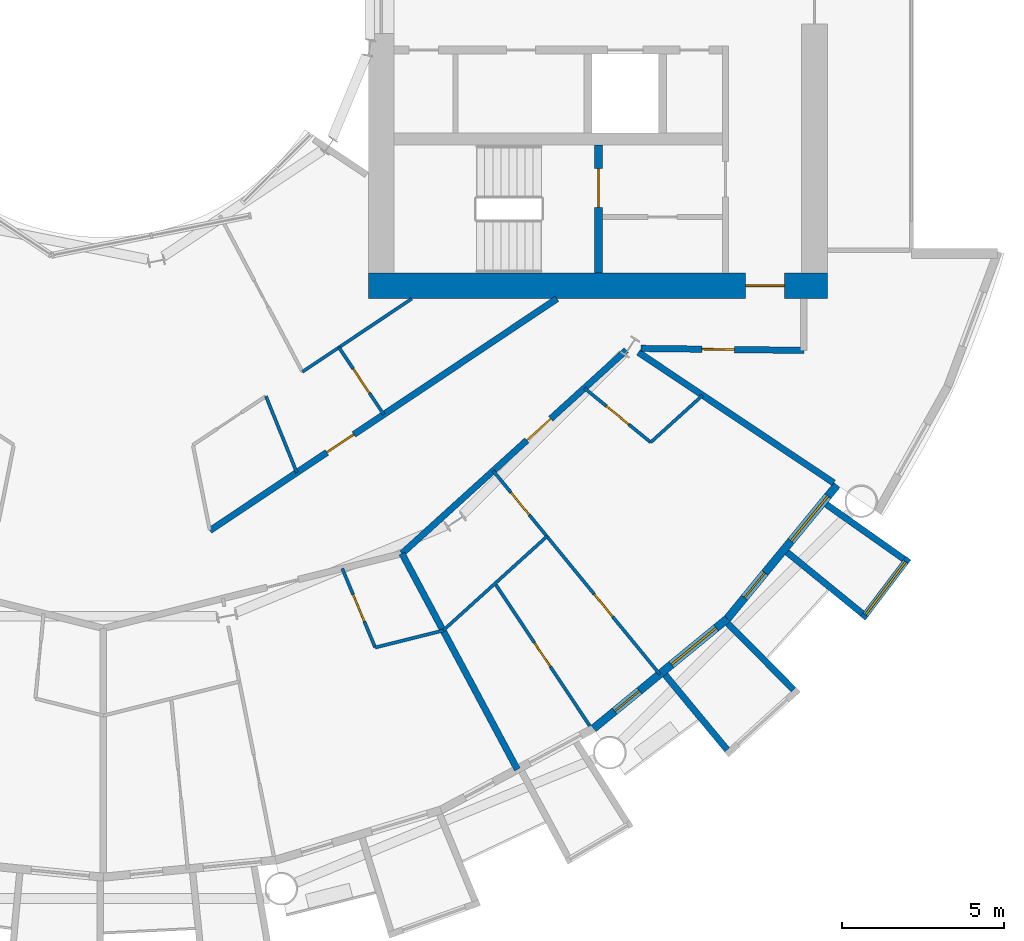
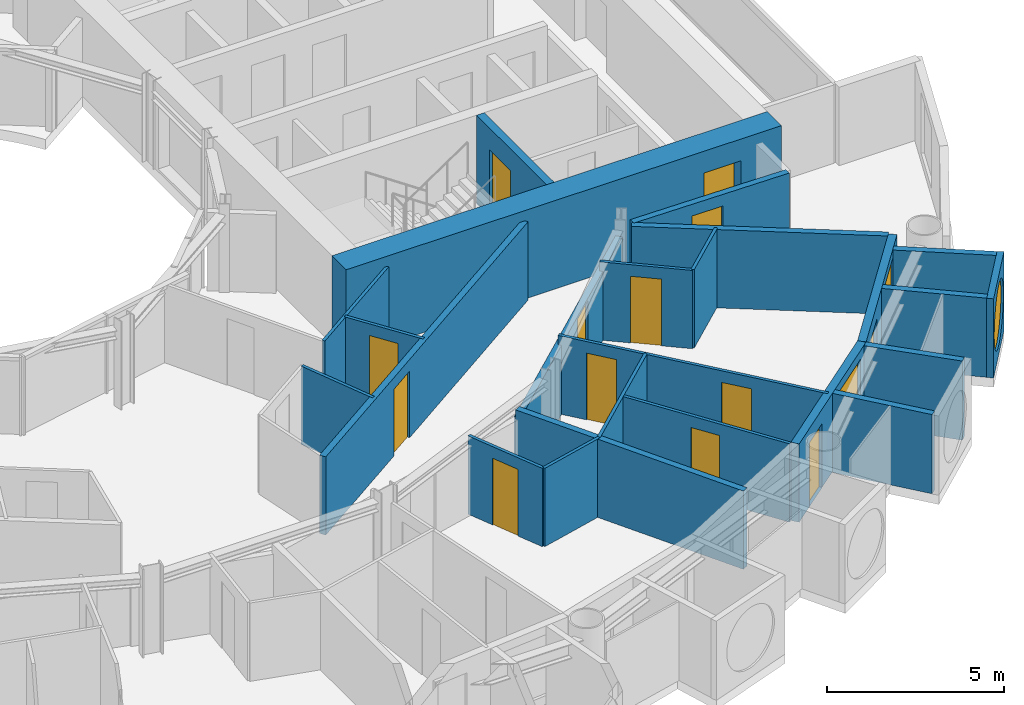
# One storey, part 16 of 26: 24 walls, 13 doors, 3 windows, 16 openings.
"""IFC4 building model written with IfcOpenShell, lengths in metres."""

from ifc_helpers import new_model, si_unit, direction, frame, frame_2d, origin, place, context, subcontext, project, spatial, rectangle, circle, extrude, material, layer, layer_set, type_object, element, fill, save


model = new_model("IFC4")

# Units and contexts
model_context = context("Model", 3, precision=1e-05, world=origin(), true_north=direction((0.0, 1.0)))
body_context = subcontext(model_context, "Body", "Model", "MODEL_VIEW")
ifc_project = project(units=[si_unit("LENGTHUNIT", "METRE"), si_unit("AREAUNIT", "SQUARE_METRE"), si_unit("VOLUMEUNIT", "CUBIC_METRE"), si_unit("PLANEANGLEUNIT", "RADIAN"), si_unit("MASSUNIT", "GRAM", prefix="KILO")], contexts=[model_context])

# Site, building, storey
site_placement = place(None, origin())
site = spatial("IfcSite", under=ifc_project, at=site_placement, CompositionType="ELEMENT")
building_placement = place(site_placement, origin())
building = spatial("IfcBuilding", under=site, at=building_placement, Name="Maasbend Ring Residences", CompositionType="ELEMENT")
storey_placement = place(building_placement, frame((0.0, 0.0, 31.949951171875)))
storey = spatial("IfcBuildingStorey", under=building, at=storey_placement, Name="L08", CompositionType="ELEMENT", Elevation=31.949951171875)

# Wall, opening, door
ifc_material_1 = material(Name="Concrete C70/85", Category="concrete")
ifc_layer_1 = layer(ifc_material_1, 0.25)
ifc_layer_set_1 = layer_set([ifc_layer_1], Name="Concrete C70/85")
wall_type_1 = type_object("IfcWallType", Name="CORE WALL 250 C70/85", PredefinedType="SHEAR", material=ifc_layer_set_1)
wall_1_placement = place(storey_placement, frame((15.324951171875, -8.60009765625, 0.0), z_axis=(0.0, 0.0, 1.0), x_axis=(0.0, 1.0, 0.0)))
wall_1 = element("IfcWall", 1, at=wall_1_placement, inside=storey, type_object=wall_type_1, Name="L08 core E wall STES", PredefinedType="SHEAR", context=body_context, shape_type="SweptSolid", body=[
    extrude(rectangle(XDim=3.9501953125, YDim=0.25, at=frame_2d((1.97509765625, 0.0))), origin(), (0.0, 0.0, 1.0), 3.050048828125),
])
opening_1_placement = place(wall_1_placement, frame((2.02490234375, 0.0, 0.0)))
opening_1 = element("IfcOpeningElement", 2, at=opening_1_placement, cuts=wall_1, Name="Opening D-E0811", PredefinedType="OPENING", context=body_context, shape_type="SweptSolid", body=[
    extrude(rectangle(XDim=1.199951171875, YDim=2.300048828125, at=frame_2d((0.60009765625, 1.14990234375))), frame((0.0, 0.135009765625, 0.0), z_axis=(0.0, -1.0, 0.0), x_axis=(1.0, 0.0, 0.0)), (0.0, 0.0, 1.0), 0.27001953125),
])
ifc_material_2 = material(Name="Steel, powder coated", Category="steel")
door_type_1 = type_object("IfcDoorType", Name="STAIR DOOR 1200 X 2300 FD60", OperationType="NOTDEFINED", PredefinedType="DOOR", material=ifc_material_2)
door_1_placement = place(opening_1_placement, origin())
door_1 = element("IfcDoor", 3, at=door_1_placement, inside=storey, type_object=door_type_1, Name="Stair door ST-E L08", OperationType="SINGLE_SWING_LEFT", OverallHeight=2.300048828125, OverallWidth=1.199951171875, PredefinedType="DOOR", context=body_context, shape_type="SweptSolid", body=[
    extrude(rectangle(XDim=1.199951171875, YDim=2.300048828125, at=frame_2d((0.60009765625, 1.14990234375))), frame((0.0, 0.02490234375, 0.0), z_axis=(0.0, -1.0, 0.0), x_axis=(1.0, 0.0, 0.0)), (0.0, 0.0, 1.0), 0.050048828125),
])
fill(opening_1, door_1)

ifc_material_3 = material(Name="Concrete C70/85", Category="concrete")
ifc_layer_2 = layer(ifc_material_3, 0.800048828125)
ifc_layer_set_2 = layer_set([ifc_layer_2], Name="Concrete C70/85")
wall_type_2 = type_object("IfcWallType", Name="CORE WALL 800 C70/85", PredefinedType="SHEAR", material=ifc_layer_set_2)
wall_2_placement = place(storey_placement, frame((8.199951171875, -9.0, 0.0), z_axis=(0.0, 0.0, 1.0), x_axis=(1.0, 0.0, 0.0)))
wall_2 = element("IfcWall", 4, at=wall_2_placement, inside=storey, type_object=wall_type_2, Name="L08 core E wall PS", PredefinedType="SHEAR", context=body_context, shape_type="SweptSolid", body=[
    extrude(rectangle(XDim=14.199951171875, YDim=0.800048828125, at=frame_2d((7.10009765625, 0.0))), origin(), (0.0, 0.0, 1.0), 3.050048828125),
])
opening_2_placement = place(wall_2_placement, frame((11.675048828125, 0.0, 0.0)))
opening_2 = element("IfcOpeningElement", 5, at=opening_2_placement, cuts=wall_2, Name="Opening D-E0815", PredefinedType="OPENING", context=body_context, shape_type="SweptSolid", body=[
    extrude(rectangle(XDim=1.199951171875, YDim=2.300048828125, at=frame_2d((0.60009765625, 1.14990234375))), frame((0.0, 0.41015625, 0.0), z_axis=(0.0, -1.0, 0.0), x_axis=(1.0, 0.0, 0.0)), (0.0, 0.0, 1.0), 0.820068359375),
])
ifc_material_4 = material(Name="Steel, powder coated", Category="steel")
door_type_2 = type_object("IfcDoorType", Name="CORRIDOR DOOR 1200 X 2300 FD30S", OperationType="NOTDEFINED", PredefinedType="DOOR", material=ifc_material_4)
door_2_placement = place(opening_2_placement, origin())
door_2 = element("IfcDoor", 6, at=door_2_placement, inside=storey, type_object=door_type_2, Name="Corridor door L08", OperationType="SINGLE_SWING_LEFT", OverallHeight=2.300048828125, OverallWidth=1.199951171875, PredefinedType="DOOR", context=body_context, shape_type="SweptSolid", body=[
    extrude(rectangle(XDim=1.199951171875, YDim=2.300048828125, at=frame_2d((0.60009765625, 1.14990234375))), frame((0.0, 0.02490234375, 0.0), z_axis=(0.0, -1.0, 0.0), x_axis=(1.0, 0.0, 0.0)), (0.0, 0.0, 1.0), 0.050048828125),
])
fill(opening_2, door_2)

ifc_material_5 = material(Name="Concrete C30/37", Category="concrete")
ifc_layer_3 = layer(ifc_material_5, 0.199951171875)
ifc_layer_set_3 = layer_set([ifc_layer_3], Name="Concrete C30/37")
wall_type_3 = type_object("IfcWallType", Name="CORRIDOR WALL 200 CONCRETE", PredefinedType="PARTITIONING", material=ifc_layer_set_3)
wall_3_placement = place(storey_placement, frame((9.239013671875, -17.285888671875, 0.0), z_axis=(0.0, 0.0, 1.0), x_axis=(0.74089212117, 0.671624050186, 0.0)))
wall_3 = element("IfcWall", 7, at=wall_3_placement, inside=storey, type_object=wall_type_3, Name="U-L08-w014", PredefinedType="PARTITIONING", context=body_context, shape_type="SweptSolid", body=[
    extrude(rectangle(XDim=9.368408203125, YDim=0.199951171875, at=frame_2d((4.68408203125, 0.0))), origin(), (0.0, 0.0, 1.0), 2.380126953125),
])
opening_3_placement = place(wall_3_placement, frame((5.215087890625, 0.0, 0.0)))
opening_3 = element("IfcOpeningElement", 8, at=opening_3_placement, cuts=wall_3, Name="Opening D-0844", PredefinedType="OPENING", context=body_context, shape_type="SweptSolid", body=[
    extrude(rectangle(XDim=1.0, YDim=2.300048828125, at=frame_2d((0.5, 1.14990234375))), frame((0.0, 0.10986328125, 0.0), z_axis=(0.0, -1.0, 0.0), x_axis=(1.0, 0.0, 0.0)), (0.0, 0.0, 1.0), 0.219970703125),
])
ifc_material_6 = material(Name="Timber, fire-rated, painted", Category="wood")
door_type_3 = type_object("IfcDoorType", Name="FLAT ENTRANCE DOOR 1000 X 2300 FIRE-RATED", OperationType="NOTDEFINED", PredefinedType="DOOR", material=ifc_material_6)
door_3_placement = place(opening_3_placement, origin())
door_3 = element("IfcDoor", 9, at=door_3_placement, inside=storey, type_object=door_type_3, Name="D-0844", OperationType="SINGLE_SWING_RIGHT", OverallHeight=2.300048828125, OverallWidth=1.0, PredefinedType="DOOR", context=body_context, shape_type="SweptSolid", body=[
    extrude(rectangle(XDim=1.0, YDim=2.300048828125, at=frame_2d((0.5, 1.14990234375))), frame((0.0, 0.02490234375, 0.0), z_axis=(0.0, -1.0, 0.0), x_axis=(1.0, 0.0, 0.0)), (0.0, 0.0, 1.0), 0.050048828125),
])
fill(opening_3, door_3)

wall_4_placement = place(storey_placement, frame((3.297119140625, -16.574951171875, 0.0), z_axis=(0.0, 0.0, 1.0), x_axis=(0.831561346449, 0.555432918625, 0.0)))
wall_4 = element("IfcWall", 10, at=wall_4_placement, inside=storey, type_object=wall_type_3, Name="U-L08-w016", PredefinedType="PARTITIONING", context=body_context, shape_type="SweptSolid", body=[
    extrude(rectangle(XDim=12.9140625, YDim=0.199951171875, at=frame_2d((6.45703125, 0.0))), origin(), (0.0, 0.0, 1.0), 2.699951171875),
])
opening_4_placement = place(wall_4_placement, frame((4.35205078125, 0.0, 0.0)))
opening_4 = element("IfcOpeningElement", 11, at=opening_4_placement, cuts=wall_4, Name="Opening D-0853", PredefinedType="OPENING", context=body_context, shape_type="SweptSolid", body=[
    extrude(rectangle(XDim=1.0, YDim=2.300048828125, at=frame_2d((0.5, 1.14990234375))), frame((0.0, 0.10986328125, 0.0), z_axis=(0.0, -1.0, 0.0), x_axis=(1.0, 0.0, 0.0)), (0.0, 0.0, 1.0), 0.219970703125),
])
door_4_placement = place(opening_4_placement, origin())
door_4 = element("IfcDoor", 12, at=door_4_placement, inside=storey, type_object=door_type_3, Name="D-0853", OperationType="SINGLE_SWING_LEFT", OverallHeight=2.300048828125, OverallWidth=1.0, PredefinedType="DOOR", context=body_context, shape_type="SweptSolid", body=[
    extrude(rectangle(XDim=1.0, YDim=2.300048828125, at=frame_2d((0.5, 1.14990234375))), frame((0.0, 0.02490234375, 0.0), z_axis=(0.0, -1.0, 0.0), x_axis=(1.0, 0.0, 0.0)), (0.0, 0.0, 1.0), 0.050048828125),
])
fill(opening_4, door_4)

wall_5_placement = place(storey_placement, frame((16.635986328125, -10.93896484375, 0.0), z_axis=(0.0, 0.0, 1.0), x_axis=(0.999926652916, -0.012111514691, 0.0)))
wall_5 = element("IfcWall", 13, at=wall_5_placement, inside=storey, type_object=wall_type_3, Name="U-L08-w022", PredefinedType="PARTITIONING", context=body_context, shape_type="SweptSolid", body=[
    extrude(rectangle(XDim=5.03955078125, YDim=0.199951171875, at=frame_2d((2.519775390625, 0.0))), origin(), (0.0, 0.0, 1.0), 2.699951171875),
])
opening_5_placement = place(wall_5_placement, frame((1.885986328125, 0.0, 0.0)))
opening_5 = element("IfcOpeningElement", 14, at=opening_5_placement, cuts=wall_5, Name="Opening D-0859", PredefinedType="OPENING", context=body_context, shape_type="SweptSolid", body=[
    extrude(rectangle(XDim=1.0, YDim=2.300048828125, at=frame_2d((0.5, 1.14990234375))), frame((0.0, 0.10986328125, 0.0), z_axis=(0.0, -1.0, 0.0), x_axis=(1.0, 0.0, 0.0)), (0.0, 0.0, 1.0), 0.219970703125),
])
ifc_material_7 = material(Name="Timber, painted", Category="wood")
door_type_4 = type_object("IfcDoorType", Name="ROOM DOOR 1000 X 2300", OperationType="NOTDEFINED", PredefinedType="DOOR", material=ifc_material_7)
door_5_placement = place(opening_5_placement, origin())
door_5 = element("IfcDoor", 15, at=door_5_placement, inside=storey, type_object=door_type_4, Name="D-0859", OperationType="SINGLE_SWING_LEFT", OverallHeight=2.300048828125, OverallWidth=1.0, PredefinedType="DOOR", context=body_context, shape_type="SweptSolid", body=[
    extrude(rectangle(XDim=1.0, YDim=2.300048828125, at=frame_2d((0.5, 1.14990234375))), frame((0.0, 0.02490234375, 0.0), z_axis=(0.0, -1.0, 0.0), x_axis=(1.0, 0.0, 0.0)), (0.0, 0.0, 1.0), 0.050048828125),
])
fill(opening_5, door_5)

# Walls
ifc_material_8 = material(Name="Pale anodised aluminium panel", Category="aluminium")
ifc_layer_4 = layer(ifc_material_8, 0.199951171875)
ifc_layer_set_4 = layer_set([ifc_layer_4], Name="EW-BOX")
wall_type_4 = type_object("IfcWallType", Name="EW-BOX", PredefinedType="SOLIDWALL", material=ifc_layer_set_4)
wall_6_placement = place(storey_placement, frame((17.384033203125, -21.041015625, -0.030029296875), z_axis=(0.0, 0.0, 1.0), x_axis=(0.63709551667, -0.770784861449, 0.0)))
element("IfcWall", 16, at=wall_6_placement, inside=storey, type_object=wall_type_4, Name="Box side wall S18 left", PredefinedType="SOLIDWALL", context=body_context, shape_type="SweptSolid", body=[
    extrude(rectangle(XDim=3.005859375, YDim=0.199951171875, at=frame_2d((1.5029296875, 0.0))), origin(), (0.0, 0.0, 1.0), 2.72998046875),
])
wall_7_placement = place(storey_placement, frame((19.322998046875, -19.449951171875, -0.030029296875), z_axis=(0.0, 0.0, 1.0), x_axis=(0.704476739375, -0.709727076896, 0.0)))
element("IfcWall", 17, at=wall_7_placement, inside=storey, type_object=wall_type_4, Name="Box side wall S18 right", PredefinedType="SOLIDWALL", context=body_context, shape_type="SweptSolid", body=[
    extrude(rectangle(XDim=2.883056640625, YDim=0.199951171875, at=frame_2d((1.44140625, 0.0))), origin(), (0.0, 0.0, 1.0), 2.72998046875),
])

# Wall, opening, window
wall_8_placement = place(storey_placement, frame((23.4970703125, -19.2890625, -0.030029296875), z_axis=(0.0, 0.0, 1.0), x_axis=(0.60418752353, 0.796842165306, 0.0)))
wall_8 = element("IfcWall", 18, at=wall_8_placement, inside=storey, type_object=wall_type_4, Name="Box front S20", PredefinedType="SOLIDWALL", context=body_context, shape_type="SweptSolid", body=[
    extrude(rectangle(XDim=2.3369140625, YDim=0.199951171875, at=frame_2d((1.16845703125, 0.0))), origin(), (0.0, 0.0, 1.0), 2.72998046875),
])
opening_6_placement = place(wall_8_placement, frame((0.128173828125, 0.0, 0.330078125)))
opening_6 = element("IfcOpeningElement", 19, at=opening_6_placement, cuts=wall_8, Name="Opening W-RD", PredefinedType="OPENING", context=body_context, shape_type="SweptSolid", body=[
    extrude(circle(Radius=1.0400390625, at=frame_2d((1.0400390625, 1.0400390625))), frame((0.0, 0.10986328125, 0.0), z_axis=(0.0, -1.0, 0.0), x_axis=(1.0, 0.0, 0.0)), (0.0, 0.0, 1.0), 0.219970703125),
])
ifc_material_9 = material(Name="Aluminium and clear glass", Category="aluminium")
window_type_1 = type_object("IfcWindowType", Name="W-RD", PartitioningType="SINGLE_PANEL", PredefinedType="WINDOW", material=ifc_material_9)
window_1_placement = place(opening_6_placement, origin())
window_1 = element("IfcWindow", 20, at=window_1_placement, inside=storey, type_object=window_type_1, Name="Round window S20", OverallHeight=2.080078125, OverallWidth=2.080078125, PartitioningType="SINGLE_PANEL", PredefinedType="WINDOW", context=body_context, shape_type="SweptSolid", body=[
    extrude(circle(Radius=1.0400390625, at=frame_2d((1.0400390625, 1.0400390625))), frame((0.0, 0.030029296875, 0.0), z_axis=(0.0, -1.0, 0.0), x_axis=(1.0, 0.0, 0.0)), (0.0, 0.0, 1.0), 0.06005859375),
])
fill(opening_6, window_1)

# Walls
wall_9_placement = place(storey_placement, frame((21.155029296875, -17.24609375, -0.030029296875), z_axis=(0.0, 0.0, 1.0), x_axis=(0.775179004516, -0.631741648902, 0.0)))
element("IfcWall", 21, at=wall_9_placement, inside=storey, type_object=wall_type_4, Name="Box side wall S20 left", PredefinedType="SOLIDWALL", context=body_context, shape_type="SweptSolid", body=[
    extrude(rectangle(XDim=3.005859375, YDim=0.199951171875, at=frame_2d((1.5029296875, 0.0))), origin(), (0.0, 0.0, 1.0), 2.72998046875),
])
wall_10_placement = place(storey_placement, frame((22.3701171875, -15.764892578125, -0.030029296875), z_axis=(0.0, 0.0, 1.0), x_axis=(0.817256123454, -0.576274612209, 0.0)))
element("IfcWall", 22, at=wall_10_placement, inside=storey, type_object=wall_type_4, Name="Box side wall S20 right", PredefinedType="SOLIDWALL", context=body_context, shape_type="SweptSolid", body=[
    extrude(rectangle(XDim=2.932861328125, YDim=0.199951171875, at=frame_2d((1.46630859375, 0.0))), origin(), (0.0, 0.0, 1.0), 2.72998046875),
])

# Wall, openings, door, window
ifc_material_10 = material(Name="Aluminium clad insulated panel", Category="aluminium")
ifc_layer_5 = layer(ifc_material_10, 0.25)
ifc_layer_set_5 = layer_set([ifc_layer_5], Name="EW-GL")
wall_type_5 = type_object("IfcWallType", Name="EW-GL", PredefinedType="SOLIDWALL", material=ifc_layer_set_5)
wall_11_placement = place(storey_placement, frame((15.1669921875, -22.698974609375, 0.0), z_axis=(0.0, 0.0, 1.0), x_axis=(0.773019449054, 0.634382322723, 0.0)))
wall_11 = element("IfcWall", 23, at=wall_11_placement, inside=storey, type_object=wall_type_5, Name="External wall S09", PredefinedType="SOLIDWALL", context=body_context, shape_type="SweptSolid", body=[
    extrude(rectangle(XDim=5.351806640625, YDim=0.25, at=frame_2d((2.67578125, 0.0))), origin(), (0.0, 0.0, 1.0), 2.699951171875),
])
opening_7_placement = place(wall_11_placement, frame((0.841064453125, 0.0, 0.0)))
opening_7 = element("IfcOpeningElement", 24, at=opening_7_placement, cuts=wall_11, Name="Opening D-LG", PredefinedType="OPENING", context=body_context, shape_type="SweptSolid", body=[
    extrude(rectangle(XDim=1.0, YDim=2.199951171875, at=frame_2d((0.5, 1.10009765625))), frame((0.0, 0.135009765625, 0.0), z_axis=(0.0, -1.0, 0.0), x_axis=(1.0, 0.0, 0.0)), (0.0, 0.0, 1.0), 0.27001953125),
])
opening_8_placement = place(wall_11_placement, frame((3.110595703125, 0.0, 0.300048828125)))
opening_8 = element("IfcOpeningElement", 25, at=opening_8_placement, cuts=wall_11, Name="Opening W-BX", PredefinedType="OPENING", context=body_context, shape_type="SweptSolid", body=[
    extrude(rectangle(XDim=1.800048828125, YDim=2.10009765625, at=frame_2d((0.89990234375, 1.050048828125))), frame((0.0, 0.135009765625, 0.0), z_axis=(0.0, -1.0, 0.0), x_axis=(1.0, 0.0, 0.0)), (0.0, 0.0, 1.0), 0.27001953125),
])
ifc_material_11 = material(Name="Aluminium and clear glass", Category="aluminium")
door_type_5 = type_object("IfcDoorType", Name="D-LG", OperationType="SINGLE_SWING_LEFT", PredefinedType="DOOR", material=ifc_material_11)
door_6_placement = place(opening_7_placement, origin())
door_6 = element("IfcDoor", 26, at=door_6_placement, inside=storey, type_object=door_type_5, Name="Loggia door S17", OperationType="SINGLE_SWING_LEFT", OverallHeight=2.199951171875, OverallWidth=1.0, PredefinedType="DOOR", context=body_context, shape_type="SweptSolid", body=[
    extrude(rectangle(XDim=1.0, YDim=2.199951171875, at=frame_2d((0.5, 1.10009765625))), frame((0.0, 0.02490234375, 0.0), z_axis=(0.0, -1.0, 0.0), x_axis=(1.0, 0.0, 0.0)), (0.0, 0.0, 1.0), 0.050048828125),
])
fill(opening_7, door_6)
ifc_material_12 = material(Name="Aluminium and clear glass", Category="aluminium")
window_type_2 = type_object("IfcWindowType", Name="W-BX", PartitioningType="DOUBLE_PANEL_VERTICAL", PredefinedType="WINDOW", material=ifc_material_12)
window_2_placement = place(opening_8_placement, origin())
window_2 = element("IfcWindow", 27, at=window_2_placement, inside=storey, type_object=window_type_2, Name="Window S18 room to box", OverallHeight=2.10009765625, OverallWidth=1.800048828125, PartitioningType="SINGLE_PANEL", PredefinedType="WINDOW", context=body_context, shape_type="SweptSolid", body=[
    extrude(rectangle(XDim=1.800048828125, YDim=2.10009765625, at=frame_2d((0.89990234375, 1.050048828125))), frame((0.0, 0.030029296875, 0.0), z_axis=(0.0, -1.0, 0.0), x_axis=(1.0, 0.0, 0.0)), (0.0, 0.0, 1.0), 0.06005859375),
])
fill(opening_8, window_2)

wall_12_placement = place(storey_placement, frame((19.303955078125, -19.303955078125, 0.0), z_axis=(0.0, 0.0, 1.0), x_axis=(0.634382322723, 0.773019449054, 0.0)))
wall_12 = element("IfcWall", 28, at=wall_12_placement, inside=storey, type_object=wall_type_5, Name="External wall S10", PredefinedType="SOLIDWALL", context=body_context, shape_type="SweptSolid", body=[
    extrude(rectangle(XDim=5.351806640625, YDim=0.25, at=frame_2d((2.67578125, 0.0))), origin(), (0.0, 0.0, 1.0), 2.699951171875),
])
opening_9_placement = place(wall_12_placement, frame((0.841064453125, 0.0, 0.0)))
opening_9 = element("IfcOpeningElement", 29, at=opening_9_placement, cuts=wall_12, Name="Opening D-LG", PredefinedType="OPENING", context=body_context, shape_type="SweptSolid", body=[
    extrude(rectangle(XDim=1.0, YDim=2.199951171875, at=frame_2d((0.5, 1.10009765625))), frame((0.0, 0.135009765625, 0.0), z_axis=(0.0, -1.0, 0.0), x_axis=(1.0, 0.0, 0.0)), (0.0, 0.0, 1.0), 0.27001953125),
])
opening_10_placement = place(wall_12_placement, frame((3.110595703125, 0.0, 0.300048828125)))
opening_10 = element("IfcOpeningElement", 30, at=opening_10_placement, cuts=wall_12, Name="Opening W-BX", PredefinedType="OPENING", context=body_context, shape_type="SweptSolid", body=[
    extrude(rectangle(XDim=1.800048828125, YDim=2.10009765625, at=frame_2d((0.89990234375, 1.050048828125))), frame((0.0, 0.135009765625, 0.0), z_axis=(0.0, -1.0, 0.0), x_axis=(1.0, 0.0, 0.0)), (0.0, 0.0, 1.0), 0.27001953125),
])
door_7_placement = place(opening_9_placement, origin())
door_7 = element("IfcDoor", 31, at=door_7_placement, inside=storey, type_object=door_type_5, Name="Loggia door S19", OperationType="SINGLE_SWING_LEFT", OverallHeight=2.199951171875, OverallWidth=1.0, PredefinedType="DOOR", context=body_context, shape_type="SweptSolid", body=[
    extrude(rectangle(XDim=1.0, YDim=2.199951171875, at=frame_2d((0.5, 1.10009765625))), frame((0.0, 0.02490234375, 0.0), z_axis=(0.0, -1.0, 0.0), x_axis=(1.0, 0.0, 0.0)), (0.0, 0.0, 1.0), 0.050048828125),
])
fill(opening_9, door_7)
window_3_placement = place(opening_10_placement, origin())
window_3 = element("IfcWindow", 32, at=window_3_placement, inside=storey, type_object=window_type_2, Name="Window S20 room to box", OverallHeight=2.10009765625, OverallWidth=1.800048828125, PartitioningType="SINGLE_PANEL", PredefinedType="WINDOW", context=body_context, shape_type="SweptSolid", body=[
    extrude(rectangle(XDim=1.800048828125, YDim=2.10009765625, at=frame_2d((0.89990234375, 1.050048828125))), frame((0.0, 0.030029296875, 0.0), z_axis=(0.0, -1.0, 0.0), x_axis=(1.0, 0.0, 0.0)), (0.0, 0.0, 1.0), 0.06005859375),
])
fill(opening_10, window_3)

# Walls
ifc_material_13 = material(Name="Gypsum board on steel studs", Category="steel")
ifc_layer_6 = layer(ifc_material_13, 0.10009765625)
ifc_layer_set_6 = layer_set([ifc_layer_6], Name="PARTITION 100 GYPSUM")
wall_type_6 = type_object("IfcWallType", Name="PARTITION 100 GYPSUM", PredefinedType="PARTITIONING", material=ifc_layer_set_6)
wall_13_placement = place(storey_placement, frame((8.4140625, -20.193115234375, 0.0), z_axis=(0.0, 0.0, 1.0), x_axis=(0.970076188308, 0.242800718444, 0.0)))
element("IfcWall", 33, at=wall_13_placement, inside=storey, type_object=wall_type_6, Name="U-L08-w008", PredefinedType="PARTITIONING", context=body_context, shape_type="SweptSolid", body=[
    extrude(rectangle(XDim=2.1669921875, YDim=0.10009765625, at=frame_2d((1.08349609375, 0.0))), origin(), (0.0, 0.0, 1.0), 2.699951171875),
])
wall_14_placement = place(storey_placement, frame((10.512939453125, -19.66796875, 0.0), z_axis=(0.0, 0.0, 1.0), x_axis=(0.74092137325, 0.671591779775, 0.0)))
element("IfcWall", 34, at=wall_14_placement, inside=storey, type_object=wall_type_6, Name="U-L08-w009", PredefinedType="PARTITIONING", context=body_context, shape_type="SweptSolid", body=[
    extrude(rectangle(XDim=4.342041015625, YDim=0.10009765625, at=frame_2d((2.1708984375, 0.0))), origin(), (0.0, 0.0, 1.0), 2.699951171875),
])
wall_15_placement = place(storey_placement, frame((16.93603515625, -13.844970703125, 0.0), z_axis=(0.0, 0.0, 1.0), x_axis=(0.740836325503, 0.671685595212, 0.0)))
element("IfcWall", 35, at=wall_15_placement, inside=storey, type_object=wall_type_6, Name="U-L08-w010", PredefinedType="PARTITIONING", context=body_context, shape_type="SweptSolid", body=[
    extrude(rectangle(XDim=2.167724609375, YDim=0.10009765625, at=frame_2d((1.083984375, 0.0))), origin(), (0.0, 0.0, 1.0), 2.699951171875),
])
wall_16_placement = place(storey_placement, frame((6.157958984375, -11.6640625, 0.0), z_axis=(0.0, 0.0, 1.0), x_axis=(0.831459707426, 0.555585056429, 0.0)))
element("IfcWall", 36, at=wall_16_placement, inside=storey, type_object=wall_type_6, Name="U-L08-w020", PredefinedType="PARTITIONING", context=body_context, shape_type="SweptSolid", body=[
    extrude(rectangle(XDim=4.073486328125, YDim=0.10009765625, at=frame_2d((2.03662109375, 0.0))), origin(), (0.0, 0.0, 1.0), 2.699951171875),
])
wall_17_placement = place(storey_placement, frame((5.029052734375, -12.41796875, 0.0), z_axis=(0.0, 0.0, 1.0), x_axis=(0.375649498413, -0.926761811008, 0.0)))
element("IfcWall", 37, at=wall_17_placement, inside=storey, type_object=wall_type_6, Name="U-L08-w057", PredefinedType="PARTITIONING", context=body_context, shape_type="SweptSolid", body=[
    extrude(rectangle(XDim=2.547607421875, YDim=0.10009765625, at=frame_2d((1.27392578125, 0.0))), origin(), (0.0, 0.0, 1.0), 2.699951171875),
])

# Wall, opening, door
wall_18_placement = place(storey_placement, frame((7.2890625, -10.907958984375, 0.0), z_axis=(0.0, 0.0, 1.0), x_axis=(0.555355163998, -0.831613276602, 0.0)))
wall_18 = element("IfcWall", 38, at=wall_18_placement, inside=storey, type_object=wall_type_6, Name="U-L08-w060", PredefinedType="PARTITIONING", context=body_context, shape_type="SweptSolid", body=[
    extrude(rectangle(XDim=2.493896484375, YDim=0.10009765625, at=frame_2d((1.2470703125, 0.0))), origin(), (0.0, 0.0, 1.0), 2.699951171875),
])
opening_11_placement = place(wall_18_placement, frame((0.797119140625, 0.0, 0.0)))
opening_11 = element("IfcOpeningElement", 39, at=opening_11_placement, cuts=wall_18, Name="Opening D-0855", PredefinedType="OPENING", context=body_context, shape_type="SweptSolid", body=[
    extrude(rectangle(XDim=0.89990234375, YDim=2.300048828125, at=frame_2d((0.449951171875, 1.14990234375))), frame((0.0, 0.06005859375, 0.0), z_axis=(0.0, -1.0, 0.0), x_axis=(1.0, 0.0, 0.0)), (0.0, 0.0, 1.0), 0.1201171875),
])
ifc_material_14 = material(Name="Timber, painted", Category="wood")
door_type_6 = type_object("IfcDoorType", Name="INTERNAL DOOR 900 X 2300", OperationType="NOTDEFINED", PredefinedType="DOOR", material=ifc_material_14)
door_8_placement = place(opening_11_placement, origin())
door_8 = element("IfcDoor", 40, at=door_8_placement, inside=storey, type_object=door_type_6, Name="D-0855", OperationType="SINGLE_SWING_RIGHT", OverallHeight=2.300048828125, OverallWidth=0.89990234375, PredefinedType="DOOR", context=body_context, shape_type="SweptSolid", body=[
    extrude(rectangle(XDim=0.89990234375, YDim=2.300048828125, at=frame_2d((0.449951171875, 1.14990234375))), frame((0.0, 0.02490234375, 0.0), z_axis=(0.0, -1.0, 0.0), x_axis=(1.0, 0.0, 0.0)), (0.0, 0.0, 1.0), 0.050048828125),
])
fill(opening_11, door_8)

wall_19_placement = place(storey_placement, frame((7.39208984375, -17.7490234375, 0.0), z_axis=(0.0, 0.0, 1.0), x_axis=(0.384438589316, -0.923150567917, 0.0)))
wall_19 = element("IfcWall", 41, at=wall_19_placement, inside=storey, type_object=wall_type_6, Name="U-L08-w062", PredefinedType="PARTITIONING", context=body_context, shape_type="SweptSolid", body=[
    extrude(rectangle(XDim=2.6474609375, YDim=0.10009765625, at=frame_2d((1.32373046875, 0.0))), origin(), (0.0, 0.0, 1.0), 2.699951171875),
])
opening_12_placement = place(wall_19_placement, frame((0.8740234375, 0.0, 0.0)))
opening_12 = element("IfcOpeningElement", 42, at=opening_12_placement, cuts=wall_19, Name="Opening D-0840", PredefinedType="OPENING", context=body_context, shape_type="SweptSolid", body=[
    extrude(rectangle(XDim=0.89990234375, YDim=2.300048828125, at=frame_2d((0.449951171875, 1.14990234375))), frame((0.0, 0.06005859375, 0.0), z_axis=(0.0, -1.0, 0.0), x_axis=(1.0, 0.0, 0.0)), (0.0, 0.0, 1.0), 0.1201171875),
])
door_9_placement = place(opening_12_placement, origin())
door_9 = element("IfcDoor", 43, at=door_9_placement, inside=storey, type_object=door_type_6, Name="D-0840", OperationType="SINGLE_SWING_RIGHT", OverallHeight=2.300048828125, OverallWidth=0.89990234375, PredefinedType="DOOR", context=body_context, shape_type="SweptSolid", body=[
    extrude(rectangle(XDim=0.89990234375, YDim=2.300048828125, at=frame_2d((0.449951171875, 1.14990234375))), frame((0.0, 0.02490234375, 0.0), z_axis=(0.0, -1.0, 0.0), x_axis=(1.0, 0.0, 0.0)), (0.0, 0.0, 1.0), 0.050048828125),
])
fill(opening_12, door_9)

# Wall, openings, doors
wall_20_placement = place(storey_placement, frame((12.06201171875, -14.72705078125, 0.0), z_axis=(0.0, 0.0, 1.0), x_axis=(0.633664062855, -0.773608334654, 0.0)))
wall_20 = element("IfcWall", 44, at=wall_20_placement, inside=storey, type_object=wall_type_6, Name="U-L08-w067", PredefinedType="PARTITIONING", context=body_context, shape_type="SweptSolid", body=[
    extrude(rectangle(XDim=8.138427734375, YDim=0.10009765625, at=frame_2d((4.0693359375, 0.0))), origin(), (0.0, 0.0, 1.0), 2.699951171875),
])
opening_13_placement = place(wall_20_placement, frame((0.861083984375, 0.0, 0.0)))
opening_13 = element("IfcOpeningElement", 45, at=opening_13_placement, cuts=wall_20, Name="Opening D-0846", PredefinedType="OPENING", context=body_context, shape_type="SweptSolid", body=[
    extrude(rectangle(XDim=0.89990234375, YDim=2.300048828125, at=frame_2d((0.449951171875, 1.14990234375))), frame((0.0, 0.06005859375, 0.0), z_axis=(0.0, -1.0, 0.0), x_axis=(1.0, 0.0, 0.0)), (0.0, 0.0, 1.0), 0.1201171875),
])
opening_14_placement = place(wall_20_placement, frame((4.930908203125, 0.0, 0.0)))
opening_14 = element("IfcOpeningElement", 46, at=opening_14_placement, cuts=wall_20, Name="Opening D-0847", PredefinedType="OPENING", context=body_context, shape_type="SweptSolid", body=[
    extrude(rectangle(XDim=0.89990234375, YDim=2.300048828125, at=frame_2d((0.449951171875, 1.14990234375))), frame((0.0, 0.06005859375, 0.0), z_axis=(0.0, -1.0, 0.0), x_axis=(1.0, 0.0, 0.0)), (0.0, 0.0, 1.0), 0.1201171875),
])
door_10_placement = place(opening_13_placement, origin())
door_10 = element("IfcDoor", 47, at=door_10_placement, inside=storey, type_object=door_type_6, Name="D-0846", OperationType="SINGLE_SWING_LEFT", OverallHeight=2.300048828125, OverallWidth=0.89990234375, PredefinedType="DOOR", context=body_context, shape_type="SweptSolid", body=[
    extrude(rectangle(XDim=0.89990234375, YDim=2.300048828125, at=frame_2d((0.449951171875, 1.14990234375))), frame((0.0, 0.02490234375, 0.0), z_axis=(0.0, -1.0, 0.0), x_axis=(1.0, 0.0, 0.0)), (0.0, 0.0, 1.0), 0.050048828125),
])
fill(opening_13, door_10)
door_11_placement = place(opening_14_placement, origin())
door_11 = element("IfcDoor", 48, at=door_11_placement, inside=storey, type_object=door_type_6, Name="D-0847", OperationType="SINGLE_SWING_RIGHT", OverallHeight=2.300048828125, OverallWidth=0.89990234375, PredefinedType="DOOR", context=body_context, shape_type="SweptSolid", body=[
    extrude(rectangle(XDim=0.89990234375, YDim=2.300048828125, at=frame_2d((0.449951171875, 1.14990234375))), frame((0.0, 0.02490234375, 0.0), z_axis=(0.0, -1.0, 0.0), x_axis=(1.0, 0.0, 0.0)), (0.0, 0.0, 1.0), 0.050048828125),
])
fill(opening_14, door_11)

# Wall, opening, door
wall_21_placement = place(storey_placement, frame((12.117919921875, -18.2109375, 0.0), z_axis=(0.0, 0.0, 1.0), x_axis=(0.553913391217, -0.832574294, 0.0)))
wall_21 = element("IfcWall", 49, at=wall_21_placement, inside=storey, type_object=wall_type_6, Name="U-L08-w068", PredefinedType="PARTITIONING", context=body_context, shape_type="SweptSolid", body=[
    extrude(rectangle(XDim=5.300537109375, YDim=0.10009765625, at=frame_2d((2.650390625, 0.0))), origin(), (0.0, 0.0, 1.0), 2.699951171875),
])
opening_15_placement = place(wall_21_placement, frame((2.199951171875, 0.0, 0.0)))
opening_15 = element("IfcOpeningElement", 50, at=opening_15_placement, cuts=wall_21, Name="Opening D-0848", PredefinedType="OPENING", context=body_context, shape_type="SweptSolid", body=[
    extrude(rectangle(XDim=0.89990234375, YDim=2.300048828125, at=frame_2d((0.449951171875, 1.14990234375))), frame((0.0, 0.06005859375, 0.0), z_axis=(0.0, -1.0, 0.0), x_axis=(1.0, 0.0, 0.0)), (0.0, 0.0, 1.0), 0.1201171875),
])
door_12_placement = place(opening_15_placement, origin())
door_12 = element("IfcDoor", 51, at=door_12_placement, inside=storey, type_object=door_type_6, Name="D-0848", OperationType="SINGLE_SWING_RIGHT", OverallHeight=2.300048828125, OverallWidth=0.89990234375, PredefinedType="DOOR", context=body_context, shape_type="SweptSolid", body=[
    extrude(rectangle(XDim=0.89990234375, YDim=2.300048828125, at=frame_2d((0.449951171875, 1.14990234375))), frame((0.0, 0.02490234375, 0.0), z_axis=(0.0, -1.0, 0.0), x_axis=(1.0, 0.0, 0.0)), (0.0, 0.0, 1.0), 0.050048828125),
])
fill(opening_15, door_12)

wall_22_placement = place(storey_placement, frame((14.885009765625, -12.16796875, 0.0), z_axis=(0.0, 0.0, 1.0), x_axis=(0.774162545943, -0.632986850147, 0.0)))
wall_22 = element("IfcWall", 52, at=wall_22_placement, inside=storey, type_object=wall_type_6, Name="U-L08-w071", PredefinedType="PARTITIONING", context=body_context, shape_type="SweptSolid", body=[
    extrude(rectangle(XDim=2.6494140625, YDim=0.10009765625, at=frame_2d((1.32470703125, 0.0))), origin(), (0.0, 0.0, 1.0), 2.699951171875),
])
opening_16_placement = place(wall_22_placement, frame((0.875, 0.0, 0.0)))
opening_16 = element("IfcOpeningElement", 53, at=opening_16_placement, cuts=wall_22, Name="Opening D-0845", PredefinedType="OPENING", context=body_context, shape_type="SweptSolid", body=[
    extrude(rectangle(XDim=0.89990234375, YDim=2.300048828125, at=frame_2d((0.449951171875, 1.14990234375))), frame((0.0, 0.06005859375, 0.0), z_axis=(0.0, -1.0, 0.0), x_axis=(1.0, 0.0, 0.0)), (0.0, 0.0, 1.0), 0.1201171875),
])
door_13_placement = place(opening_16_placement, origin())
door_13 = element("IfcDoor", 54, at=door_13_placement, inside=storey, type_object=door_type_6, Name="D-0845", OperationType="SINGLE_SWING_RIGHT", OverallHeight=2.300048828125, OverallWidth=0.89990234375, PredefinedType="DOOR", context=body_context, shape_type="SweptSolid", body=[
    extrude(rectangle(XDim=0.89990234375, YDim=2.300048828125, at=frame_2d((0.449951171875, 1.14990234375))), frame((0.0, 0.02490234375, 0.0), z_axis=(0.0, -1.0, 0.0), x_axis=(1.0, 0.0, 0.0)), (0.0, 0.0, 1.0), 0.050048828125),
])
fill(opening_16, door_13)

# Walls
ifc_material_15 = material(Name="Concrete C30/37", Category="concrete")
ifc_layer_7 = layer(ifc_material_15, 0.199951171875)
ifc_layer_set_7 = layer_set([ifc_layer_7], Name="Concrete C30/37")
wall_type_7 = type_object("IfcWallType", Name="PARTY WALL 200 CONCRETE", PredefinedType="PARTITIONING", material=ifc_layer_set_7)
wall_23_placement = place(storey_placement, frame((9.239013671875, -17.285888671875, 0.0), z_axis=(0.0, 0.0, 1.0), x_axis=(0.471439510802, -0.881898399848, 0.0)))
element("IfcWall", 55, at=wall_23_placement, inside=storey, type_object=wall_type_7, Name="U-L08-w064", PredefinedType="PARTITIONING", context=body_context, shape_type="SweptSolid", body=[
    extrude(rectangle(XDim=7.57470703125, YDim=0.199951171875, at=frame_2d((3.787353515625, 0.0))), origin(), (0.0, 0.0, 1.0), 2.699951171875),
])
wall_24_placement = place(storey_placement, frame((16.554931640625, -11.06103515625, 0.0), z_axis=(0.0, 0.0, 1.0), x_axis=(0.831507055747, -0.555514190857, 0.0)))
element("IfcWall", 56, at=wall_24_placement, inside=storey, type_object=wall_type_7, Name="U-L08-w072", PredefinedType="PARTITIONING", context=body_context, shape_type="SweptSolid", body=[
    extrude(rectangle(XDim=7.26513671875, YDim=0.199951171875, at=frame_2d((3.632568359375, 0.0))), origin(), (0.0, 0.0, 1.0), 2.699951171875),
])

save(model, "model.ifc")
